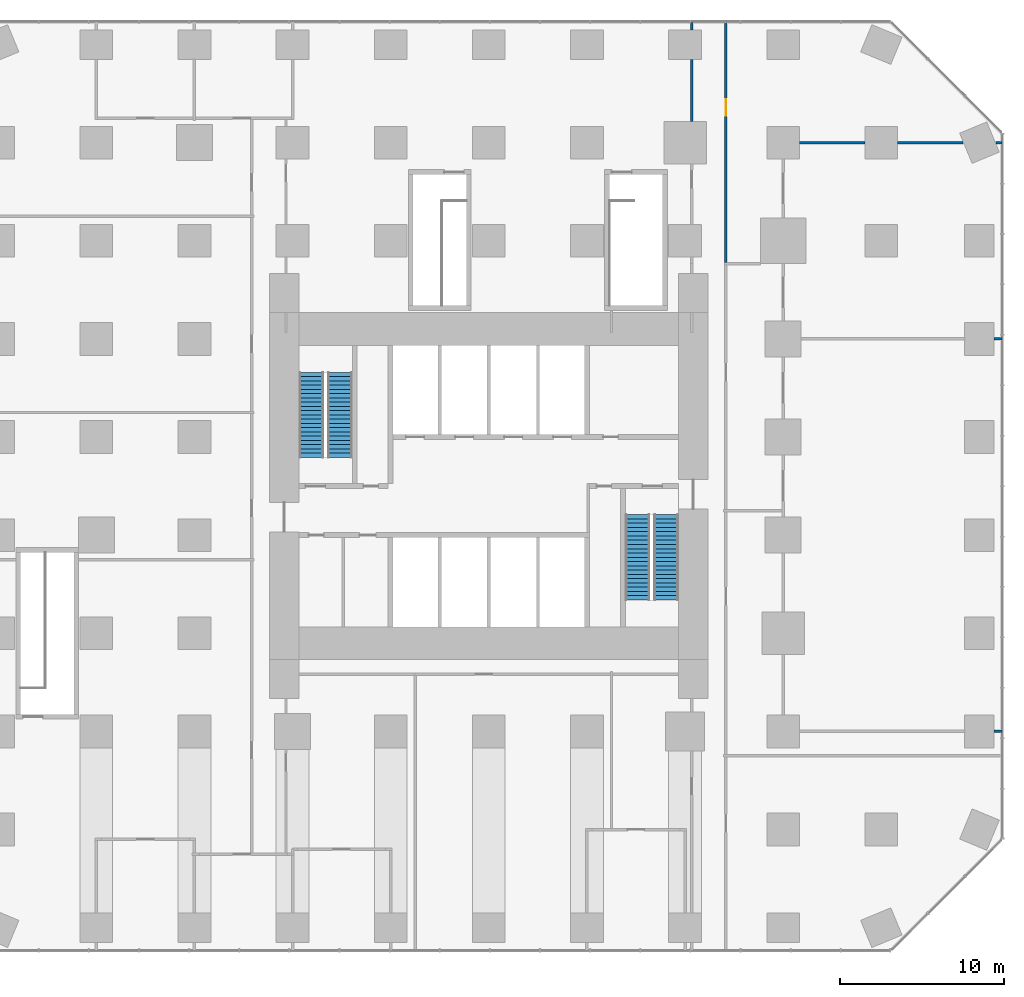
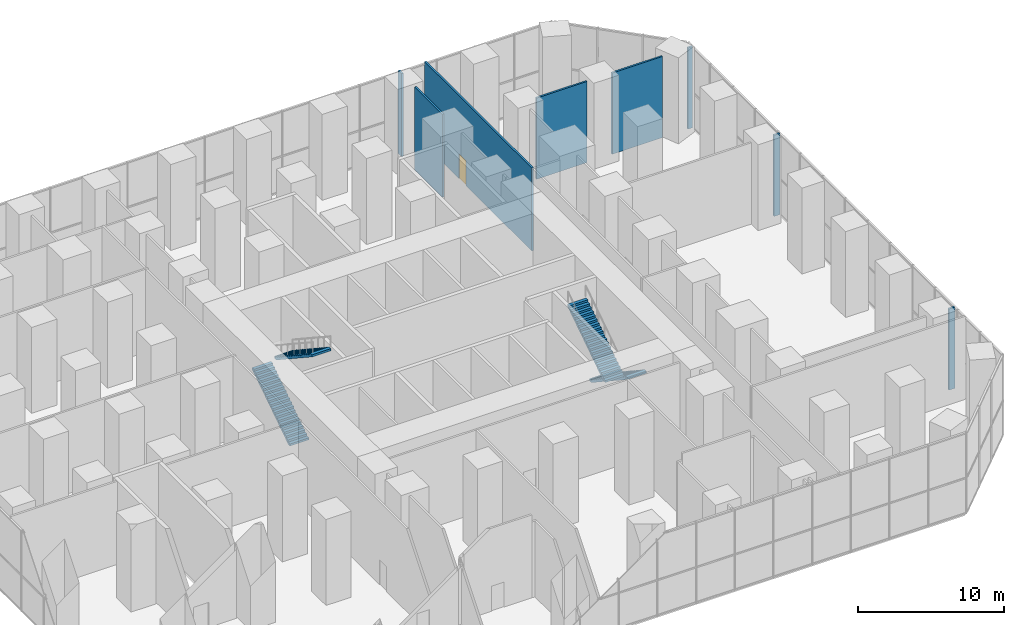
# One storey, part 15 of 16: 8 walls, 4 stair flights, 1 door, 1 opening, 2 elements without a shape of their own.
"""IFC4 building model written with IfcOpenShell, lengths in metres."""

import ifcopenshell
import ifcopenshell.guid

model = None  # the IFC model being written
_history = None  # IfcOwnerHistory: only IFC2X3 demands one
_inside = {}  # id of a spatial element -> (the spatial element, [elements in it])
_under = {}  # id of a project, library or spatial element -> (it, [spatial elements below it])
_declared = {}  # id of a project -> (the project, [libraries it declares])
_typed = {}  # id of a type object -> (the type object, [elements of that type])
_made_of = {}  # id of a material, layer set ... -> (it, [elements and type objects made of it])


def new_model(schema):
    """Start an empty IFC model of exactly this schema.

    Asked for "IFC4X3", IfcOpenShell would pick the latest addendum, in which some entities
    have other attributes; the version numbers below select the first issue.
    IFC2X3 requires an IfcOwnerHistory on every rooted entity: one is made here for all.
    """
    global model, _history
    if schema == "IFC4X3":
        model = ifcopenshell.file(schema_version=(4, 3, 0, 0))
    else:
        model = ifcopenshell.file(schema=schema)
    _inside.clear()
    _under.clear()
    _declared.clear()
    _typed.clear()
    _made_of.clear()
    _history = None
    if model.schema == "IFC2X3":
        org = make("IfcOrganization", Name="unknown")
        user = make(
            "IfcPersonAndOrganization",
            ThePerson=make("IfcPerson", FamilyName="unknown"),
            TheOrganization=org,
        )
        app = make(
            "IfcApplication",
            ApplicationDeveloper=org,
            Version="unknown",
            ApplicationFullName="unknown",
            ApplicationIdentifier="unknown",
        )
        _history = make(
            "IfcOwnerHistory",
            OwningUser=user,
            OwningApplication=app,
            ChangeAction="ADDED",
            CreationDate=0,
        )
    return model


def make(cls, **values):
    """One entity of the class cls with the attributes given. An attribute that is None is left unset."""
    return model.create_entity(
        cls, **{name: value for name, value in values.items() if value is not None}
    )


def rooted(cls, **values):
    """An entity with a GlobalId (a new one), such as an element, a storey or a relation."""
    return make(cls, GlobalId=ifcopenshell.guid.new(), OwnerHistory=_history, **values)


def si_unit(unit_type, name, prefix=None):
    """IfcSIUnit, for example si_unit("LENGTHUNIT", "METRE", prefix="MILLI")."""
    return make("IfcSIUnit", UnitType=unit_type, Prefix=prefix, Name=name)


def assignment(units):
    """IfcUnitAssignment: the units of a project."""
    return None if units is None else make("IfcUnitAssignment", Units=units)


def point(xyz):
    """IfcCartesianPoint."""
    return None if xyz is None else make("IfcCartesianPoint", Coordinates=xyz)


def direction(xyz):
    """IfcDirection."""
    return None if xyz is None else make("IfcDirection", DirectionRatios=xyz)


def frame(location, z_axis=None, x_axis=None):
    """IfcAxis2Placement3D, a coordinate frame: its origin and axes. An axis left out is left unset."""
    return make(
        "IfcAxis2Placement3D",
        Location=point(location),
        Axis=direction(z_axis),
        RefDirection=direction(x_axis),
    )


def frame_2d(location, x_axis=None):
    """IfcAxis2Placement2D, a coordinate frame in the plane: its origin and x axis."""
    return make(
        "IfcAxis2Placement2D", Location=point(location), RefDirection=direction(x_axis)
    )


def origin():
    """The frame at (0, 0, 0) with its axes left unset."""
    return frame((0.0, 0.0, 0.0))


def place(relative_to, where):
    """IfcLocalPlacement: puts the frame where relative to a parent placement (None: the world)."""
    return make(
        "IfcLocalPlacement", PlacementRelTo=relative_to, RelativePlacement=where
    )


def context(
    kind, dimensions, precision=None, world=None, true_north=None, identifier=None
):
    """IfcGeometricRepresentationContext, for example the 3D "Model" context."""
    return make(
        "IfcGeometricRepresentationContext",
        ContextIdentifier=identifier,
        ContextType=kind,
        CoordinateSpaceDimension=dimensions,
        Precision=precision,
        WorldCoordinateSystem=world,
        TrueNorth=true_north,
    )


def subcontext(parent, identifier, kind, view, scale=None):
    """IfcGeometricRepresentationSubContext, for example "Body" below "Model"."""
    return make(
        "IfcGeometricRepresentationSubContext",
        ContextIdentifier=identifier,
        ContextType=kind,
        ParentContext=parent,
        TargetScale=scale,
        TargetView=view,
    )


def project(units=None, contexts=None):
    """IfcProject with its units and contexts."""
    return rooted(
        "IfcProject",
        Name="project",
        RepresentationContexts=contexts,
        UnitsInContext=assignment(units),
    )


def spatial(cls, under=None, at=None, **own):
    """A site, building, storey or space (cls), placed at a placement, below another one or the project."""
    s = rooted(cls, ObjectPlacement=at, **own)
    if under is not None:
        _under.setdefault(under.id(), (under, []))[1].append(s)
    return s


def polyline(points):
    """IfcPolyline through the points."""
    return make("IfcPolyline", Points=[point(p) for p in points])


def profile(cls, at=None, kind="AREA", **sizes):
    """A parametric profile (cls). Its sizes go by their IFC names, for example OverallWidth=200.0."""
    return make(cls, ProfileType=kind, Position=at, **sizes)


def rectangle(**sizes):
    """IfcRectangleProfileDef."""
    return profile("IfcRectangleProfileDef", **sizes)


def outline(outer, holes=None, kind="AREA"):
    """IfcArbitraryClosedProfileDef: a profile drawn as a closed curve; with holes, ...WithVoids."""
    if holes is None:
        return make("IfcArbitraryClosedProfileDef", ProfileType=kind, OuterCurve=outer)
    return make(
        "IfcArbitraryProfileDefWithVoids",
        ProfileType=kind,
        OuterCurve=outer,
        InnerCurves=holes,
    )


def extrude(swept, where, along, depth):
    """IfcExtrudedAreaSolid: the profile swept, set in the frame where, extruded along a direction by depth."""
    return make(
        "IfcExtrudedAreaSolid",
        SweptArea=swept,
        Position=where,
        ExtrudedDirection=direction(along),
        Depth=depth,
    )


def shape(context_of_items, identifier, shape_type, items):
    """IfcShapeRepresentation: the items that make up one representation, for example the "Body"."""
    return make(
        "IfcShapeRepresentation",
        ContextOfItems=context_of_items,
        RepresentationIdentifier=identifier,
        RepresentationType=shape_type,
        Items=items,
    )


def material(Name=None, Category=None):
    """IfcMaterial."""
    return make("IfcMaterial", Name=Name, Category=Category)


def layer(
    of_material, thickness, ventilated=None, Name=None, Category=None, Priority=None
):
    """IfcMaterialLayer: one layer of a wall or slab, of a material (None: an air gap)."""
    return make(
        "IfcMaterialLayer",
        Material=of_material,
        LayerThickness=thickness,
        IsVentilated=ventilated,
        Name=Name,
        Category=Category,
        Priority=Priority,
    )


def layer_set(layers, Name=None):
    """IfcMaterialLayerSet."""
    return make("IfcMaterialLayerSet", MaterialLayers=layers, LayerSetName=Name)


def made_of(thing, what):
    """Note that an element or type object is made of a material, layer set ...; save() writes the relation."""
    if what is not None:
        _made_of.setdefault(what.id(), (what, []))[1].append(thing)
    return thing


def type_object(cls, material=None, **own):
    """A type object (cls), such as IfcWallType, which elements share."""
    return made_of(rooted(cls, **own), material)


def element(
    cls,
    number,
    at=None,
    inside=None,
    cuts=None,
    type_object=None,
    material=None,
    context=None,
    identifier="Body",
    shape_type=None,
    held_by="IfcProductDefinitionShape",
    body=None,
    shapes=None,
    **own,
):
    """One element of the class cls, such as IfcWall. Its Tag is "e" and its number.

    at: its placement. inside: the storey or other place that contains it. cuts: it is an
    opening in that element (IfcRelVoidsElement). A single representation is given by context,
    identifier, shape_type and body (its items); several are given by shapes. held_by: the class
    of the entity that holds the representations. save() writes the other relations.
    """
    e = rooted(cls, Tag="e%d" % number, ObjectPlacement=at, **own)
    if body is not None:
        shapes = [shape(context, identifier, shape_type, body)]
    if shapes is not None:
        e.Representation = make(held_by, Representations=shapes)
    if inside is not None:
        _inside.setdefault(inside.id(), (inside, []))[1].append(e)
    if cuts is not None:
        rooted(
            "IfcRelVoidsElement", RelatingBuildingElement=cuts, RelatedOpeningElement=e
        )
    if type_object is not None:
        _typed.setdefault(type_object.id(), (type_object, []))[1].append(e)
    return made_of(e, material)


def fill(opening, filler):
    """IfcRelFillsElement: the door or window that sits in an opening."""
    return rooted(
        "IfcRelFillsElement",
        RelatingOpeningElement=opening,
        RelatedBuildingElement=filler,
    )


def aggregate(whole, parts):
    """IfcRelAggregates: a whole, such as a stair, and the parts it consists of."""
    return rooted("IfcRelAggregates", RelatingObject=whole, RelatedObjects=parts)


def save(model, path):
    """Write the relations noted so far, then the file.

    IfcRelAggregates (storeys below a building ...), IfcRelContainedInSpatialStructure (elements
    in a storey), IfcRelDefinesByType, IfcRelAssociatesMaterial and IfcRelDeclares: one each for
    every whole, place, type object, material and project.
    """
    for whole, parts in _under.values():
        aggregate(whole, parts)
    for where, things in _inside.values():
        rooted(
            "IfcRelContainedInSpatialStructure",
            RelatedElements=things,
            RelatingStructure=where,
        )
    for kind, things in _typed.values():
        rooted("IfcRelDefinesByType", RelatedObjects=things, RelatingType=kind)
    for what, things in _made_of.values():
        rooted("IfcRelAssociatesMaterial", RelatedObjects=things, RelatingMaterial=what)
    for by, libraries in _declared.values():
        rooted("IfcRelDeclares", RelatingContext=by, RelatedDefinitions=libraries)
    model.write(path)


model = new_model("IFC4")

# Units and contexts
model_context = context("Model", 3, precision=1e-05, world=origin(), true_north=direction((0.0, 1.0)))
body_context = subcontext(model_context, "Body", "Model", "MODEL_VIEW")
ifc_project = project(units=[si_unit("LENGTHUNIT", "METRE"), si_unit("AREAUNIT", "SQUARE_METRE"), si_unit("VOLUMEUNIT", "CUBIC_METRE"), si_unit("PLANEANGLEUNIT", "RADIAN"), si_unit("MASSUNIT", "GRAM", prefix="KILO")], contexts=[model_context])

# Site, building, storey
site_placement = place(None, origin())
site = spatial("IfcSite", under=ifc_project, at=site_placement, CompositionType="ELEMENT")
building_placement = place(site_placement, origin())
building = spatial("IfcBuilding", under=site, at=building_placement, Name="Highveld Stack Headquarters", CompositionType="ELEMENT")
storey_placement = place(building_placement, frame((0.0, 0.0, 11.0)))
storey = spatial("IfcBuildingStorey", under=building, at=storey_placement, Name="L02", CompositionType="ELEMENT", Elevation=11.0)

# Walls
ifc_material_1 = material(Name="Gypsum plasterboard on steel studs", Category="steel")
ifc_layer = layer(ifc_material_1, 0.14990234375)
ifc_layer_set = layer_set([ifc_layer], Name="Gypsum plasterboard on steel studs")
wall_type = type_object("IfcWallType", Name="PARTITION 150 PLASTERBOARD", PredefinedType="PARTITIONING", material=ifc_layer_set)
for number, where, z_axis, x_axis, name in (
    (1, (36.89990234375, -12.0, 0.0), (0.0, 0.0, 1.0), (1.0, 0.0, 0.0), "Partition Auditorium L02"),
    (2, (36.89990234375, 12.0, 0.0), (0.0, 0.0, 1.0), (1.0, 0.0, 0.0), "Partition Auditorium / Auditorium foyer L02"),
):
    element("IfcWall", number, at=place(storey_placement, frame(where, z_axis=z_axis, x_axis=x_axis)), inside=storey, type_object=wall_type, Name=name, PredefinedType="PARTITIONING", context=body_context, shape_type="SweptSolid", body=[
        extrude(rectangle(XDim=0.47509765625, YDim=0.14990234375, at=frame_2d((0.237548828125, 0.0))), origin(), (0.0, 0.0, 1.0), 6.800048828125),
    ])
wall_1_placement = place(storey_placement, frame((25.0, 24.0, 0.0), z_axis=(0.0, 0.0, 1.0), x_axis=(1.0, 0.0, 0.0)))
element("IfcWall", 3, at=wall_1_placement, inside=storey, type_object=wall_type, Name="Partition Auditorium foyer L02", PredefinedType="PARTITIONING", context=body_context, shape_type="SweptSolid", body=[
    extrude(rectangle(XDim=4.0, YDim=0.14990234375, at=frame_2d((2.0, 0.0))), origin(), (0.0, 0.0, 1.0), 6.800048828125),
])
wall_2_placement = place(storey_placement, frame((31.0, 24.0, 0.0), z_axis=(0.0, 0.0, 1.0), x_axis=(1.0, 0.0, 0.0)))
element("IfcWall", 4, at=wall_2_placement, inside=storey, type_object=wall_type, Name="Partition Auditorium foyer L02", PredefinedType="PARTITIONING", context=body_context, shape_type="SweptSolid", body=[
    extrude(rectangle(XDim=3.994873046875, YDim=0.14990234375, at=frame_2d((1.99755859375, 0.0))), origin(), (0.0, 0.0, 1.0), 6.800048828125),
])
wall_3_placement = place(storey_placement, frame((37.005126953125, 24.0, 0.0), z_axis=(0.0, 0.0, 1.0), x_axis=(1.0, 0.0, 0.0)))
element("IfcWall", 5, at=wall_3_placement, inside=storey, type_object=wall_type, Name="Partition Auditorium foyer L02", PredefinedType="PARTITIONING", context=body_context, shape_type="SweptSolid", body=[
    extrude(rectangle(XDim=0.369873046875, YDim=0.14990234375, at=frame_2d((0.18505859375, 0.0))), origin(), (0.0, 0.0, 1.0), 6.800048828125),
])
wall_4_placement = place(storey_placement, frame((18.39990234375, 25.300048828125, 0.0), z_axis=(0.0, 0.0, 1.0), x_axis=(0.0, 1.0, 0.0)))
element("IfcWall", 6, at=wall_4_placement, inside=storey, type_object=wall_type, Name="Partition office neighbourhood L02", PredefinedType="PARTITIONING", context=body_context, shape_type="SweptSolid", body=[
    extrude(rectangle(XDim=3.800048828125, YDim=0.14990234375, at=frame_2d((1.89990234375, 0.0))), origin(), (0.0, 0.0, 1.0), 6.949951171875),
])
wall_5_placement = place(storey_placement, frame((18.39990234375, 30.89990234375, 0.0), z_axis=(0.0, 0.0, 1.0), x_axis=(0.0, 1.0, 0.0)))
element("IfcWall", 7, at=wall_5_placement, inside=storey, type_object=wall_type, Name="Partition office neighbourhood L02", PredefinedType="PARTITIONING", context=body_context, shape_type="SweptSolid", body=[
    extrude(rectangle(XDim=0.4501953125, YDim=0.14990234375, at=frame_2d((0.22509765625, 0.0))), origin(), (0.0, 0.0, 1.0), 6.949951171875),
])

# Wall, opening, door
wall_6_placement = place(storey_placement, frame((20.5, 16.675048828125, 0.0), z_axis=(0.0, 0.0, 1.0), x_axis=(0.0, 1.0, 0.0)))
wall_6 = element("IfcWall", 8, at=wall_6_placement, inside=storey, type_object=wall_type, Name="Partition office neighbourhood L02", PredefinedType="PARTITIONING", context=body_context, shape_type="SweptSolid", body=[
    extrude(rectangle(XDim=14.699951171875, YDim=0.14990234375, at=frame_2d((7.35009765625, 0.0))), origin(), (0.0, 0.0, 1.0), 6.949951171875),
])
opening_placement = place(wall_6_placement, frame((8.97998046875, 0.0, 0.0)))
opening = element("IfcOpeningElement", 9, at=opening_placement, cuts=wall_6, Name="Opening L02-36", PredefinedType="OPENING", context=body_context, shape_type="SweptSolid", body=[
    extrude(rectangle(XDim=1.0, YDim=2.10009765625, at=frame_2d((0.5, 1.050048828125))), frame((0.0, 0.0849609375, 0.0), z_axis=(0.0, -1.0, 0.0), x_axis=(1.0, 0.0, 0.0)), (0.0, 0.0, 1.0), 0.169921875),
])
ifc_material_2 = material(Name="Timber door, oiled ash", Category="wood")
door_type = type_object("IfcDoorType", Name="ROOM DOOR D6 1000x2100", OperationType="SINGLE_SWING_LEFT", PredefinedType="DOOR", material=ifc_material_2)
door_placement = place(opening_placement, origin())
door = element("IfcDoor", 10, at=door_placement, inside=storey, type_object=door_type, Name="Office neighbourhood door L02", OperationType="SINGLE_SWING_RIGHT", OverallHeight=2.10009765625, OverallWidth=1.0, PredefinedType="DOOR", context=body_context, shape_type="SweptSolid", body=[
    extrude(rectangle(XDim=1.0, YDim=2.10009765625, at=frame_2d((0.5, 1.050048828125))), frame((0.0, 0.02490234375, 0.0), z_axis=(0.0, -1.0, 0.0), x_axis=(1.0, 0.0, 0.0)), (0.0, 0.0, 1.0), 0.050048828125),
])
fill(opening, door)

# Stair, stair flights
ifc_material_3 = material(Name="Concrete C40/50, precast", Category="concrete")
stair_type_1 = type_object("IfcStairType", Name="STAIR S1 HALF TURN 1500", PredefinedType="HALF_TURN_STAIR", material=ifc_material_3)
stair_1_placement = place(storey_placement, origin())
stair_1 = element("IfcStair", 11, at=stair_1_placement, inside=storey, type_object=stair_type_1, Name="Stair S1 L02", PredefinedType="HALF_TURN_STAIR")
ifc_material_4 = material(Name="Concrete C40/50, precast", Category="concrete")
stair_flight_type = type_object("IfcStairFlightType", Name="STAIR FLIGHT 1500 PRECAST", PredefinedType="STRAIGHT", material=ifc_material_4)
stair_flight_1_placement = place(storey_placement, frame((-4.85009765625, 4.75, 0.0), z_axis=(0.0, 0.0, 1.0), x_axis=(0.0, 1.0, 0.0)))
stair_flight_1 = element("IfcStairFlight", 12, at=stair_flight_1_placement, type_object=stair_flight_type, Name="S1 flight 1", NumberOfRisers=21, NumberOfTreads=20, PredefinedType="STRAIGHT", RiserHeight=0.171428571, TreadLength=0.26, context=body_context, shape_type="SweptSolid", body=[
    extrude(outline(polyline([(0.0, 0.0), (0.0, 0.17138671875), (0.260009765625, 0.17138671875), (0.260009765625, 0.3427734375), (0.52001953125, 0.3427734375), (0.52001953125, 0.514404296875), (0.780029296875, 0.514404296875), (0.780029296875, 0.685791015625), (1.0400390625, 0.685791015625), (1.0400390625, 0.857177734375), (1.300048828125, 0.857177734375), (1.300048828125, 1.028564453125), (1.56005859375, 1.028564453125), (1.56005859375, 1.199951171875), (1.820068359375, 1.199951171875), (1.820068359375, 1.371337890625), (2.080078125, 1.371337890625), (2.080078125, 1.54296875), (2.340087890625, 1.54296875), (2.340087890625, 1.71435546875), (2.60009765625, 1.71435546875), (2.60009765625, 1.8857421875), (2.860107421875, 1.8857421875), (2.860107421875, 2.05712890625), (3.1201171875, 2.05712890625), (3.1201171875, 2.228515625), (3.3798828125, 2.228515625), (3.3798828125, 2.39990234375), (3.639892578125, 2.39990234375), (3.639892578125, 2.571533203125), (3.89990234375, 2.571533203125), (3.89990234375, 2.742919921875), (4.159912109375, 2.742919921875), (4.159912109375, 2.914306640625), (4.419921875, 2.914306640625), (4.419921875, 3.085693359375), (4.679931640625, 3.085693359375), (4.679931640625, 3.257080078125), (4.93994140625, 3.257080078125), (4.93994140625, 3.428466796875), (5.199951171875, 3.428466796875), (5.199951171875, 3.60009765625), (5.199951171875, 3.2490234375), (0.272216796875, 0.0), (0.0, 0.0)])), frame((0.0, 0.75, 0.0), z_axis=(0.0, -1.0, 0.0), x_axis=(1.0, 0.0, 0.0)), (0.0, 0.0, 1.0), 1.5),
])
stair_flight_2_placement = place(storey_placement, frame((-3.10009765625, 9.949951171875, 3.60009765625), z_axis=(0.0, 0.0, 1.0), x_axis=(0.0, -1.0, 0.0)))
stair_flight_2 = element("IfcStairFlight", 13, at=stair_flight_2_placement, type_object=stair_flight_type, Name="S1 flight 2", NumberOfRisers=21, NumberOfTreads=20, PredefinedType="STRAIGHT", RiserHeight=0.171428571, TreadLength=0.26, context=body_context, shape_type="SweptSolid", body=[
    extrude(outline(polyline([(0.0, 0.0), (0.0, 0.17138671875), (0.260009765625, 0.17138671875), (0.260009765625, 0.3427734375), (0.52001953125, 0.3427734375), (0.52001953125, 0.514404296875), (0.780029296875, 0.514404296875), (0.780029296875, 0.685791015625), (1.0400390625, 0.685791015625), (1.0400390625, 0.857177734375), (1.300048828125, 0.857177734375), (1.300048828125, 1.028564453125), (1.56005859375, 1.028564453125), (1.56005859375, 1.199951171875), (1.820068359375, 1.199951171875), (1.820068359375, 1.371337890625), (2.080078125, 1.371337890625), (2.080078125, 1.54296875), (2.340087890625, 1.54296875), (2.340087890625, 1.71435546875), (2.60009765625, 1.71435546875), (2.60009765625, 1.8857421875), (2.860107421875, 1.8857421875), (2.860107421875, 2.05712890625), (3.1201171875, 2.05712890625), (3.1201171875, 2.228515625), (3.3798828125, 2.228515625), (3.3798828125, 2.39990234375), (3.639892578125, 2.39990234375), (3.639892578125, 2.571533203125), (3.89990234375, 2.571533203125), (3.89990234375, 2.742919921875), (4.159912109375, 2.742919921875), (4.159912109375, 2.914306640625), (4.419921875, 2.914306640625), (4.419921875, 3.085693359375), (4.679931640625, 3.085693359375), (4.679931640625, 3.257080078125), (4.93994140625, 3.257080078125), (4.93994140625, 3.428466796875), (5.199951171875, 3.428466796875), (5.199951171875, 3.60009765625), (5.199951171875, 3.2490234375), (0.272216796875, 0.0), (0.0, 0.0)])), frame((0.0, 0.75, 0.0), z_axis=(0.0, -1.0, 0.0), x_axis=(1.0, 0.0, 0.0)), (0.0, 0.0, 1.0), 1.5),
])
aggregate(stair_1, [stair_flight_1, stair_flight_2])

ifc_material_5 = material(Name="Concrete C40/50, precast", Category="concrete")
stair_type_2 = type_object("IfcStairType", Name="STAIR S2 HALF TURN 1500", PredefinedType="HALF_TURN_STAIR", material=ifc_material_5)
stair_2_placement = place(storey_placement, origin())
stair_2 = element("IfcStair", 14, at=stair_2_placement, inside=storey, type_object=stair_type_2, Name="Stair S2 L02", PredefinedType="HALF_TURN_STAIR")
stair_flight_3_placement = place(storey_placement, frame((16.85009765625, 1.25, 0.0), z_axis=(0.0, 0.0, 1.0), x_axis=(0.0, -1.0, 0.0)))
stair_flight_3 = element("IfcStairFlight", 15, at=stair_flight_3_placement, type_object=stair_flight_type, Name="S2 flight 1", NumberOfRisers=21, NumberOfTreads=20, PredefinedType="STRAIGHT", RiserHeight=0.171428571, TreadLength=0.26, context=body_context, shape_type="SweptSolid", body=[
    extrude(outline(polyline([(0.0, 0.0), (0.0, 0.17138671875), (0.260009765625, 0.17138671875), (0.260009765625, 0.3427734375), (0.52001953125, 0.3427734375), (0.52001953125, 0.514404296875), (0.780029296875, 0.514404296875), (0.780029296875, 0.685791015625), (1.0400390625, 0.685791015625), (1.0400390625, 0.857177734375), (1.300048828125, 0.857177734375), (1.300048828125, 1.028564453125), (1.56005859375, 1.028564453125), (1.56005859375, 1.199951171875), (1.820068359375, 1.199951171875), (1.820068359375, 1.371337890625), (2.080078125, 1.371337890625), (2.080078125, 1.54296875), (2.340087890625, 1.54296875), (2.340087890625, 1.71435546875), (2.60009765625, 1.71435546875), (2.60009765625, 1.8857421875), (2.860107421875, 1.8857421875), (2.860107421875, 2.05712890625), (3.1201171875, 2.05712890625), (3.1201171875, 2.228515625), (3.3798828125, 2.228515625), (3.3798828125, 2.39990234375), (3.639892578125, 2.39990234375), (3.639892578125, 2.571533203125), (3.89990234375, 2.571533203125), (3.89990234375, 2.742919921875), (4.159912109375, 2.742919921875), (4.159912109375, 2.914306640625), (4.419921875, 2.914306640625), (4.419921875, 3.085693359375), (4.679931640625, 3.085693359375), (4.679931640625, 3.257080078125), (4.93994140625, 3.257080078125), (4.93994140625, 3.428466796875), (5.199951171875, 3.428466796875), (5.199951171875, 3.60009765625), (5.199951171875, 3.2490234375), (0.272216796875, 0.0), (0.0, 0.0)])), frame((0.0, 0.75, 0.0), z_axis=(0.0, -1.0, 0.0), x_axis=(1.0, 0.0, 0.0)), (0.0, 0.0, 1.0), 1.5),
])
stair_flight_4_placement = place(storey_placement, frame((15.10009765625, -3.949951171875, 3.60009765625), z_axis=(0.0, 0.0, 1.0), x_axis=(0.0, 1.0, 0.0)))
stair_flight_4 = element("IfcStairFlight", 16, at=stair_flight_4_placement, type_object=stair_flight_type, Name="S2 flight 2", NumberOfRisers=21, NumberOfTreads=20, PredefinedType="STRAIGHT", RiserHeight=0.171428571, TreadLength=0.26, context=body_context, shape_type="SweptSolid", body=[
    extrude(outline(polyline([(0.0, 0.0), (0.0, 0.17138671875), (0.260009765625, 0.17138671875), (0.260009765625, 0.3427734375), (0.52001953125, 0.3427734375), (0.52001953125, 0.514404296875), (0.780029296875, 0.514404296875), (0.780029296875, 0.685791015625), (1.0400390625, 0.685791015625), (1.0400390625, 0.857177734375), (1.300048828125, 0.857177734375), (1.300048828125, 1.028564453125), (1.56005859375, 1.028564453125), (1.56005859375, 1.199951171875), (1.820068359375, 1.199951171875), (1.820068359375, 1.371337890625), (2.080078125, 1.371337890625), (2.080078125, 1.54296875), (2.340087890625, 1.54296875), (2.340087890625, 1.71435546875), (2.60009765625, 1.71435546875), (2.60009765625, 1.8857421875), (2.860107421875, 1.8857421875), (2.860107421875, 2.05712890625), (3.1201171875, 2.05712890625), (3.1201171875, 2.228515625), (3.3798828125, 2.228515625), (3.3798828125, 2.39990234375), (3.639892578125, 2.39990234375), (3.639892578125, 2.571533203125), (3.89990234375, 2.571533203125), (3.89990234375, 2.742919921875), (4.159912109375, 2.742919921875), (4.159912109375, 2.914306640625), (4.419921875, 2.914306640625), (4.419921875, 3.085693359375), (4.679931640625, 3.085693359375), (4.679931640625, 3.257080078125), (4.93994140625, 3.257080078125), (4.93994140625, 3.428466796875), (5.199951171875, 3.428466796875), (5.199951171875, 3.60009765625), (5.199951171875, 3.2490234375), (0.272216796875, 0.0), (0.0, 0.0)])), frame((0.0, 0.75, 0.0), z_axis=(0.0, -1.0, 0.0), x_axis=(1.0, 0.0, 0.0)), (0.0, 0.0, 1.0), 1.5),
])
aggregate(stair_2, [stair_flight_3, stair_flight_4])

save(model, "model.ifc")
